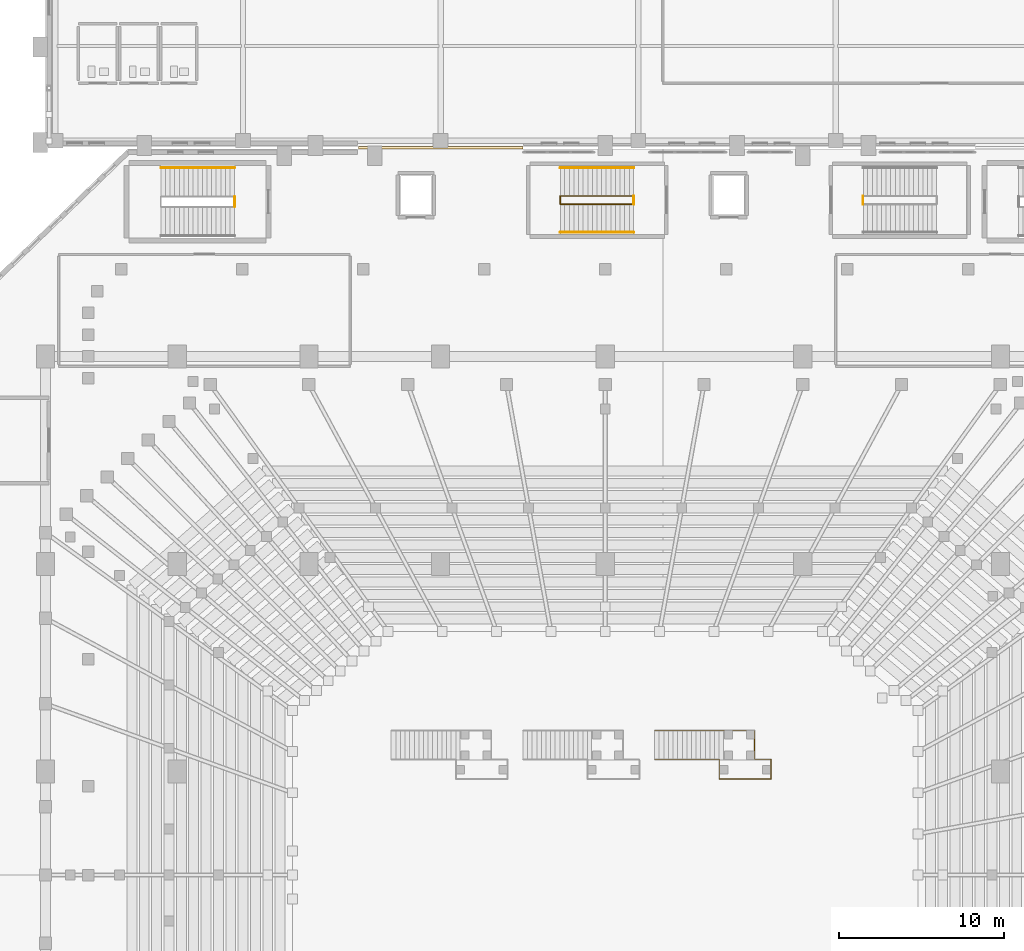
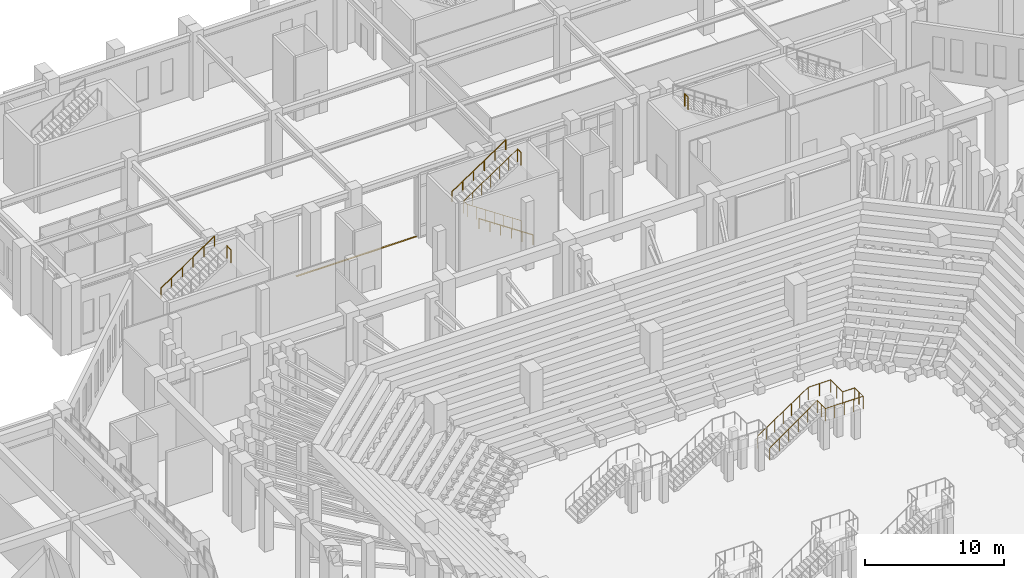
# One storey, part 135 of 143: 8 railings, 1 covering.
"""IFC4 building model written with IfcOpenShell, lengths in metres."""

from ifc_helpers import new_model, si_unit, derived_unit, direction, frame, origin, origin_2d, place, context, subcontext, project, spatial, polyline, circle, outline, extrude, material, layer, layer_set, type_object, element, save


model = new_model("IFC4")

# Units and contexts
model_context = context("Model", 3, precision=1e-05, world=origin(), true_north=direction((0.0, 1.0)))
body_context = subcontext(model_context, "Body", "Model", "MODEL_VIEW")
ifc_project = project(units=[si_unit("LENGTHUNIT", "METRE"), si_unit("AREAUNIT", "SQUARE_METRE"), si_unit("VOLUMEUNIT", "CUBIC_METRE"), si_unit("PLANEANGLEUNIT", "RADIAN"), si_unit("MASSUNIT", "GRAM", prefix="KILO"), derived_unit("THERMALTRANSMITTANCEUNIT", [(si_unit("MASSUNIT", "GRAM", prefix="KILO"), 1), (si_unit("TIMEUNIT", "SECOND"), -3), (si_unit("THERMODYNAMICTEMPERATUREUNIT", "KELVIN"), -1)])], contexts=[model_context])

# Site, building, storey
site_placement = place(None, origin())
site = spatial("IfcSite", under=ifc_project, at=site_placement, CompositionType="ELEMENT")
building_placement = place(site_placement, origin())
building = spatial("IfcBuilding", under=site, at=building_placement, Name="Valcora Ridge Arena", CompositionType="ELEMENT")
storey_placement = place(building_placement, origin())
storey = spatial("IfcBuildingStorey", under=building, at=storey_placement, Name="L00", CompositionType="ELEMENT", Elevation=0.0)

# Covering
ifc_material_1 = material(Name="Steel ASTM A572 Grade 50", Category="steel")
ifc_layer = layer(ifc_material_1, 0.02001953125, Name="Steel ASTM A572 Grade 50")
ifc_layer_set = layer_set([ifc_layer], Name="Steel ASTM A572 Grade 50")
covering_type = type_object("IfcCoveringType", Name="TY-COVERING-COV-SJ-150", PredefinedType="FLOORING", material=ifc_layer_set)
covering_placement = place(storey_placement, frame((0.0, 0.0, -0.02001953125)))
element("IfcCovering", 1, at=covering_placement, inside=storey, type_object=covering_type, Name="COV-SJ-150 COV-SJ-0014", PredefinedType="FLOORING", context=body_context, shape_type="SweptSolid", body=[
    extrude(outline(polyline([(43.0, 108.199951171875), (53.0, 108.199951171875), (53.0, 108.35009765625), (43.0, 108.35009765625), (43.0, 108.199951171875)])), origin(), (0.0, 0.0, 1.0), 0.02001953125),
])

# Railings
ifc_material_2 = material(Name="Galvanized painted steel ASTM A500 Grade B", Category="steel")
railing_type_1 = type_object("IfcRailingType", Name="TY-RAILING-GRD-STAIR-1120", PredefinedType="GUARDRAIL", material=ifc_material_2)
railing_1_placement = place(storey_placement, frame((35.489990234375, 104.699951171875, 6.0)))
element("IfcRailing", 2, at=railing_1_placement, inside=storey, type_object=railing_type_1, Name="GRD-STAIR-1120 RAL-SG-0026", PredefinedType="GUARDRAIL", context=body_context, shape_type="SweptSolid", body=[
    extrude(circle(Radius=0.02392578125, at=origin_2d()), frame((0.0, 0.0, 1.09619140625), z_axis=(0.0, 1.0, 0.0), x_axis=(-1.0, 0.0, 0.0)), (0.0, 0.0, 1.0), 0.60009765625),
    extrude(circle(Radius=0.02099609375, at=origin_2d()), origin(), (0.0, 0.0, 1.0), 1.072021484375),
    extrude(circle(Radius=0.02099609375, at=origin_2d()), frame((0.0, 0.60009765625, 0.0)), (0.0, 0.0, 1.0), 1.072021484375),
])
railing_2_placement = place(storey_placement, frame((59.739990234375, 104.85009765625, 0.0)))
element("IfcRailing", 3, at=railing_2_placement, inside=storey, type_object=railing_type_1, Name="GRD-STAIR-1120 RAL-SG-0113", PredefinedType="GUARDRAIL", context=body_context, shape_type="SweptSolid", body=[
    extrude(circle(Radius=0.02392578125, at=origin_2d()), frame((0.0, 0.0, 1.09619140625), z_axis=(-0.830906055479, 0.0, 0.556412730775), x_axis=(0.0, -1.0, 0.0)), (0.0, 0.0, 1.0), 5.3916015625),
    extrude(circle(Radius=0.02392578125, at=origin_2d()), frame((-4.47998046875, 0.0, 4.09619140625), z_axis=(0.0, 1.0, 0.0), x_axis=(-1.0, 0.0, 0.0)), (0.0, 0.0, 1.0), 0.5),
    extrude(circle(Radius=0.02392578125, at=origin_2d()), frame((-4.47998046875, 0.5, 4.09619140625), z_axis=(0.830906055479, 0.0, 0.556412730775), x_axis=(0.0, 1.0, 0.0)), (0.0, 0.0, 1.0), 5.3916015625),
    extrude(circle(Radius=0.02099609375, at=origin_2d()), origin(), (0.0, 0.0, 1.0), 1.072021484375),
    extrude(circle(Radius=0.02099609375, at=origin_2d()), frame((-0.74658203125, 0.0, 0.5)), (0.0, 0.0, 1.0), 1.072021484375),
    extrude(circle(Radius=0.02099609375, at=origin_2d()), frame((-1.493408203125, 0.0, 1.0)), (0.0, 0.0, 1.0), 1.072021484375),
    extrude(circle(Radius=0.02099609375, at=origin_2d()), frame((-2.239990234375, 0.0, 1.5)), (0.0, 0.0, 1.0), 1.072021484375),
    extrude(circle(Radius=0.02099609375, at=origin_2d()), frame((-2.986572265625, 0.0, 2.0)), (0.0, 0.0, 1.0), 1.072021484375),
    extrude(circle(Radius=0.02099609375, at=origin_2d()), frame((-3.7333984375, 0.0, 2.5)), (0.0, 0.0, 1.0), 1.072021484375),
    extrude(circle(Radius=0.02099609375, at=origin_2d()), frame((-4.47998046875, 0.0, 3.0)), (0.0, 0.0, 1.0), 1.072021484375),
    extrude(circle(Radius=0.02099609375, at=origin_2d()), frame((-4.47998046875, 0.5, 3.0)), (0.0, 0.0, 1.0), 1.072021484375),
    extrude(circle(Radius=0.02099609375, at=origin_2d()), frame((-3.7333984375, 0.5, 3.5)), (0.0, 0.0, 1.0), 1.072021484375),
    extrude(circle(Radius=0.02099609375, at=origin_2d()), frame((-2.986572265625, 0.5, 4.0)), (0.0, 0.0, 1.0), 1.072021484375),
    extrude(circle(Radius=0.02099609375, at=origin_2d()), frame((-2.239990234375, 0.5, 4.5)), (0.0, 0.0, 1.0), 1.072021484375),
    extrude(circle(Radius=0.02099609375, at=origin_2d()), frame((-1.493408203125, 0.5, 5.0)), (0.0, 0.0, 1.0), 1.072021484375),
    extrude(circle(Radius=0.02099609375, at=origin_2d()), frame((-0.74658203125, 0.5, 5.5)), (0.0, 0.0, 1.0), 1.072021484375),
    extrude(circle(Radius=0.02099609375, at=origin_2d()), frame((0.0, 0.5, 6.0)), (0.0, 0.0, 1.0), 1.072021484375),
])
for number, where, name in (
    (4, (59.739990234375, 104.85009765625, 6.0), "GRD-STAIR-1120 RAL-SG-0114"),
    (5, (73.659912109375, 104.85009765625, 6.0), "GRD-STAIR-1120 RAL-SG-0122"),
):
    element("IfcRailing", number, at=place(storey_placement, frame(where)), inside=storey, type_object=railing_type_1, Name=name, PredefinedType="GUARDRAIL", context=body_context, shape_type="SweptSolid", body=[
        extrude(circle(Radius=0.02392578125, at=origin_2d()), frame((0.0, 0.0, 1.09619140625), z_axis=(0.0, 1.0, 0.0), x_axis=(-1.0, 0.0, 0.0)), (0.0, 0.0, 1.0), 0.5),
        extrude(circle(Radius=0.02099609375, at=origin_2d()), origin(), (0.0, 0.0, 1.0), 1.072021484375),
        extrude(circle(Radius=0.02099609375, at=origin_2d()), frame((0.0, 0.5, 0.0)), (0.0, 0.0, 1.0), 1.072021484375),
    ])
railing_3_placement = place(storey_placement, frame((61.0, 72.8701171875, 0.0)))
element("IfcRailing", 6, at=railing_3_placement, inside=storey, type_object=railing_type_1, Name="GRD-STAIR-1120 RAL-SG-0178", PredefinedType="GUARDRAIL", context=body_context, shape_type="SweptSolid", body=[
    extrude(circle(Radius=0.02392578125, at=origin_2d()), frame((0.0, 0.0, 1.09619140625), z_axis=(0.832042853317, 0.0, 0.554711357594), x_axis=(0.0, 1.0, 0.0)), (0.0, 0.0, 1.0), 5.0478515625),
    extrude(circle(Radius=0.02392578125, at=origin_2d()), frame((4.199951171875, 0.0, 3.89599609375), z_axis=(1.0, 0.0, 0.0), x_axis=(0.0, 1.0, 0.0)), (0.0, 0.0, 1.0), 1.8701171875),
    extrude(circle(Radius=0.02392578125, at=origin_2d()), frame((6.070068359375, 0.0, 3.89599609375), z_axis=(0.0, -1.0, 0.0), x_axis=(1.0, 0.0, 0.0)), (0.0, 0.0, 1.0), 1.740234375),
    extrude(circle(Radius=0.02392578125, at=origin_2d()), frame((6.070068359375, -1.740234375, 3.89599609375), z_axis=(1.0, 0.0, 0.0), x_axis=(0.0, 1.0, 0.0)), (0.0, 0.0, 1.0), 1.0),
    extrude(circle(Radius=0.02392578125, at=origin_2d()), frame((7.070068359375, -1.740234375, 3.89599609375), z_axis=(0.0, -1.0, 0.0), x_axis=(1.0, 0.0, 0.0)), (0.0, 0.0, 1.0), 1.199951171875),
    extrude(circle(Radius=0.02392578125, at=origin_2d()), frame((7.070068359375, -2.940185546875, 3.89599609375), z_axis=(-1.0, 0.0, 0.0), x_axis=(0.0, -1.0, 0.0)), (0.0, 0.0, 1.0), 3.14013671875),
    extrude(circle(Radius=0.02392578125, at=origin_2d()), frame((3.929931640625, -2.940185546875, 3.89599609375), z_axis=(0.0, 1.0, 0.0), x_axis=(-1.0, 0.0, 0.0)), (0.0, 0.0, 1.0), 1.199951171875),
    extrude(circle(Radius=0.02392578125, at=origin_2d()), frame((3.929931640625, -1.740234375, 3.89599609375), z_axis=(-0.814423446672, 0.0, -0.580271013846), x_axis=(0.0, -1.0, 0.0)), (0.0, 0.0, 1.0), 4.825439453125),
    extrude(circle(Radius=0.02099609375, at=origin_2d()), origin(), (0.0, 0.0, 1.0), 1.072021484375),
    extrude(circle(Radius=0.02099609375, at=origin_2d()), frame((0.699951171875, 0.0, 0.466796875)), (0.0, 0.0, 1.0), 1.072021484375),
    extrude(circle(Radius=0.02099609375, at=origin_2d()), frame((1.39990234375, 0.0, 0.933349609375)), (0.0, 0.0, 1.0), 1.072021484375),
    extrude(circle(Radius=0.02099609375, at=origin_2d()), frame((2.10009765625, 0.0, 1.39990234375)), (0.0, 0.0, 1.0), 1.072021484375),
    extrude(circle(Radius=0.02099609375, at=origin_2d()), frame((2.800048828125, 0.0, 1.86669921875)), (0.0, 0.0, 1.0), 1.072021484375),
    extrude(circle(Radius=0.02099609375, at=origin_2d()), frame((3.5, 0.0, 2.33349609375)), (0.0, 0.0, 1.0), 1.072021484375),
    extrude(circle(Radius=0.02099609375, at=origin_2d()), frame((4.199951171875, 0.0, 2.800048828125)), (0.0, 0.0, 1.0), 1.072021484375),
    extrude(circle(Radius=0.02099609375, at=origin_2d()), frame((5.135009765625, 0.0, 2.800048828125)), (0.0, 0.0, 1.0), 1.072021484375),
    extrude(circle(Radius=0.02099609375, at=origin_2d()), frame((6.070068359375, 0.0, 2.800048828125)), (0.0, 0.0, 1.0), 1.072021484375),
    extrude(circle(Radius=0.02099609375, at=origin_2d()), frame((6.070068359375, -0.8701171875, 2.800048828125)), (0.0, 0.0, 1.0), 1.072021484375),
    extrude(circle(Radius=0.02099609375, at=origin_2d()), frame((6.070068359375, -1.740234375, 2.800048828125)), (0.0, 0.0, 1.0), 1.072021484375),
    extrude(circle(Radius=0.02099609375, at=origin_2d()), frame((7.070068359375, -1.740234375, 2.800048828125)), (0.0, 0.0, 1.0), 1.072021484375),
    extrude(circle(Radius=0.02099609375, at=origin_2d()), frame((7.070068359375, -2.34033203125, 2.800048828125)), (0.0, 0.0, 1.0), 1.072021484375),
    extrude(circle(Radius=0.02099609375, at=origin_2d()), frame((7.070068359375, -2.940185546875, 2.800048828125)), (0.0, 0.0, 1.0), 1.072021484375),
    extrude(circle(Radius=0.02099609375, at=origin_2d()), frame((6.28515625, -2.940185546875, 2.800048828125)), (0.0, 0.0, 1.0), 1.072021484375),
    extrude(circle(Radius=0.02099609375, at=origin_2d()), frame((5.5, -2.940185546875, 2.800048828125)), (0.0, 0.0, 1.0), 1.072021484375),
    extrude(circle(Radius=0.02099609375, at=origin_2d()), frame((4.71484375, -2.940185546875, 2.800048828125)), (0.0, 0.0, 1.0), 1.072021484375),
    extrude(circle(Radius=0.02099609375, at=origin_2d()), frame((3.929931640625, -2.940185546875, 2.800048828125)), (0.0, 0.0, 1.0), 1.072021484375),
    extrude(circle(Radius=0.02099609375, at=origin_2d()), frame((3.929931640625, -2.34033203125, 2.800048828125)), (0.0, 0.0, 1.0), 1.072021484375),
    extrude(circle(Radius=0.02099609375, at=origin_2d()), frame((3.929931640625, -1.740234375, 2.800048828125)), (0.0, 0.0, 1.0), 1.072021484375),
    extrude(circle(Radius=0.02099609375, at=origin_2d()), frame((3.14404296875, -1.740234375, 2.239990234375)), (0.0, 0.0, 1.0), 1.072021484375),
    extrude(circle(Radius=0.02099609375, at=origin_2d()), frame((2.35791015625, -1.740234375, 1.679931640625)), (0.0, 0.0, 1.0), 1.072021484375),
    extrude(circle(Radius=0.02099609375, at=origin_2d()), frame((1.572021484375, -1.740234375, 1.1201171875)), (0.0, 0.0, 1.0), 1.072021484375),
    extrude(circle(Radius=0.02099609375, at=origin_2d()), frame((0.785888671875, -1.740234375, 0.56005859375)), (0.0, 0.0, 1.0), 1.072021484375),
    extrude(circle(Radius=0.02099609375, at=origin_2d()), frame((0.0, -1.740234375, 0.0)), (0.0, 0.0, 1.0), 1.072021484375),
])
railing_type_2 = type_object("IfcRailingType", Name="TY-RAILING-HR-STAIR-900", PredefinedType="HANDRAIL", material=ifc_material_2)
railing_4_placement = place(storey_placement, frame((31.010009765625, 107.06005859375, 3.0)))
element("IfcRailing", 7, at=railing_4_placement, inside=storey, type_object=railing_type_2, Name="HR-STAIR-900 RAL-SH-0026", PredefinedType="HANDRAIL", context=body_context, shape_type="SweptSolid", body=[
    extrude(circle(Radius=0.02392578125, at=origin_2d()), frame((0.0, 0.0, 0.8759765625), z_axis=(0.830906055479, 0.0, 0.556412730775), x_axis=(0.0, 1.0, 0.0)), (0.0, 0.0, 1.0), 5.3916015625),
    extrude(circle(Radius=0.02099609375, at=origin_2d()), origin(), (0.0, 0.0, 1.0), 0.851806640625),
    extrude(circle(Radius=0.02099609375, at=origin_2d()), frame((0.89599609375, 0.0, 0.60009765625)), (0.0, 0.0, 1.0), 0.851806640625),
    extrude(circle(Radius=0.02099609375, at=origin_2d()), frame((1.7919921875, 0.0, 1.199951171875)), (0.0, 0.0, 1.0), 0.851806640625),
    extrude(circle(Radius=0.02099609375, at=origin_2d()), frame((2.68798828125, 0.0, 1.800048828125)), (0.0, 0.0, 1.0), 0.851806640625),
    extrude(circle(Radius=0.02099609375, at=origin_2d()), frame((3.583984375, 0.0, 2.39990234375)), (0.0, 0.0, 1.0), 0.851806640625),
    extrude(circle(Radius=0.02099609375, at=origin_2d()), frame((4.47998046875, 0.0, 3.0)), (0.0, 0.0, 1.0), 0.851806640625),
])
railing_5_placement = place(storey_placement, frame((59.739990234375, 103.139892578125, 0.0)))
element("IfcRailing", 8, at=railing_5_placement, inside=storey, type_object=railing_type_2, Name="HR-STAIR-900 RAL-SH-0113", PredefinedType="HANDRAIL", context=body_context, shape_type="SweptSolid", body=[
    extrude(circle(Radius=0.02392578125, at=origin_2d()), frame((0.0, 0.0, 0.8759765625), z_axis=(-0.830906055479, 0.0, 0.556412730775), x_axis=(0.0, -1.0, 0.0)), (0.0, 0.0, 1.0), 5.3916015625),
    extrude(circle(Radius=0.02099609375, at=origin_2d()), origin(), (0.0, 0.0, 1.0), 0.851806640625),
    extrude(circle(Radius=0.02099609375, at=origin_2d()), frame((-0.89599609375, 0.0, 0.60009765625)), (0.0, 0.0, 1.0), 0.851806640625),
    extrude(circle(Radius=0.02099609375, at=origin_2d()), frame((-1.7919921875, 0.0, 1.199951171875)), (0.0, 0.0, 1.0), 0.851806640625),
    extrude(circle(Radius=0.02099609375, at=origin_2d()), frame((-2.68798828125, 0.0, 1.800048828125)), (0.0, 0.0, 1.0), 0.851806640625),
    extrude(circle(Radius=0.02099609375, at=origin_2d()), frame((-3.583984375, 0.0, 2.39990234375)), (0.0, 0.0, 1.0), 0.851806640625),
    extrude(circle(Radius=0.02099609375, at=origin_2d()), frame((-4.47998046875, 0.0, 3.0)), (0.0, 0.0, 1.0), 0.851806640625),
])
railing_6_placement = place(storey_placement, frame((55.260009765625, 107.06005859375, 3.0)))
element("IfcRailing", 9, at=railing_6_placement, inside=storey, type_object=railing_type_2, Name="HR-STAIR-900 RAL-SH-0114", PredefinedType="HANDRAIL", context=body_context, shape_type="SweptSolid", body=[
    extrude(circle(Radius=0.02392578125, at=origin_2d()), frame((0.0, 0.0, 0.8759765625), z_axis=(0.830906055479, 0.0, 0.556412730775), x_axis=(0.0, 1.0, 0.0)), (0.0, 0.0, 1.0), 5.3916015625),
    extrude(circle(Radius=0.02099609375, at=origin_2d()), origin(), (0.0, 0.0, 1.0), 0.851806640625),
    extrude(circle(Radius=0.02099609375, at=origin_2d()), frame((0.89599609375, 0.0, 0.60009765625)), (0.0, 0.0, 1.0), 0.851806640625),
    extrude(circle(Radius=0.02099609375, at=origin_2d()), frame((1.7919921875, 0.0, 1.199951171875)), (0.0, 0.0, 1.0), 0.851806640625),
    extrude(circle(Radius=0.02099609375, at=origin_2d()), frame((2.68798828125, 0.0, 1.800048828125)), (0.0, 0.0, 1.0), 0.851806640625),
    extrude(circle(Radius=0.02099609375, at=origin_2d()), frame((3.583984375, 0.0, 2.39990234375)), (0.0, 0.0, 1.0), 0.851806640625),
    extrude(circle(Radius=0.02099609375, at=origin_2d()), frame((4.47998046875, 0.0, 3.0)), (0.0, 0.0, 1.0), 0.851806640625),
])

save(model, "model.ifc")
